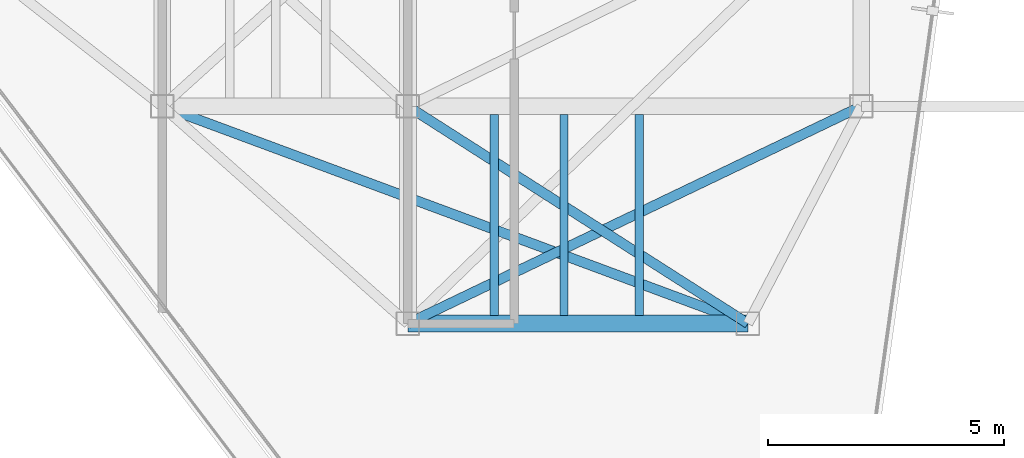
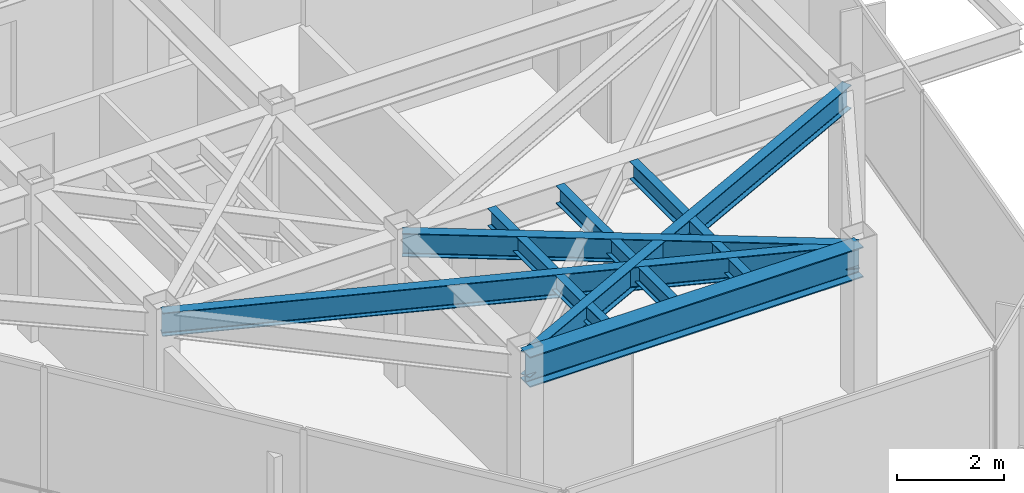
# One storey, part 10 of 20: 7 beams.
"""IFC4 building model written with IfcOpenShell, lengths in metres."""

from ifc_helpers import new_model, si_unit, direction, frame, origin, origin_2d, place, context, subcontext, project, spatial, i_section, extrude, material, material_profile, profile_set, type_object, element, save


model = new_model("IFC4")

# Units and contexts
model_context = context("Model", 3, precision=1e-05, world=origin(), true_north=direction((0.0, 1.0)))
body_context = subcontext(model_context, "Body", "Model", "MODEL_VIEW")
ifc_project = project(units=[si_unit("LENGTHUNIT", "METRE"), si_unit("AREAUNIT", "SQUARE_METRE"), si_unit("VOLUMEUNIT", "CUBIC_METRE"), si_unit("PLANEANGLEUNIT", "RADIAN"), si_unit("MASSUNIT", "GRAM", prefix="KILO")], contexts=[model_context])

# Site, building, storey
site_placement = place(None, origin())
site = spatial("IfcSite", under=ifc_project, at=site_placement, CompositionType="ELEMENT")
building_placement = place(site_placement, origin())
building = spatial("IfcBuilding", under=site, at=building_placement, Name="Kravanh Interchange Tower", CompositionType="ELEMENT")
storey_placement = place(building_placement, frame((0.0, 0.0, 245.39990234375)))
storey = spatial("IfcBuildingStorey", under=building, at=storey_placement, Name="L59", CompositionType="ELEMENT", Elevation=245.39990234375)

# Beams
ifc_material_1 = material(Name="Structural Steel S355", Category="steel")
ifc_material_profile_1 = material_profile(ifc_material_1, i_section(OverallWidth=0.35498046875, OverallDepth=0.696044921875, WebThickness=0.015380859375, FlangeThickness=0.02490234375, FilletRadius=0.02392578125, at=origin_2d()), Name="W27X146")
ifc_profile_set_1 = profile_set([ifc_material_profile_1], Name="Structural Steel S355")
beam_type_1 = type_object("IfcBeamType", Name="Floor Beam W27X146 Structural Steel S355", PredefinedType="BEAM", material=ifc_profile_set_1)
beam_1_placement = place(storey_placement, frame((56.0, 22.199951171875, 3.01220703125), z_axis=(1.0, 0.0, 0.0), x_axis=(0.0, 1.0, 0.0)))
element("IfcBeam", 1, at=beam_1_placement, inside=storey, type_object=beam_type_1, Name="L59 Primary Floor Girder 39", PredefinedType="BEAM", context=body_context, shape_type="SweptSolid", body=[
    extrude(i_section(OverallWidth=0.35498046875, OverallDepth=0.696044921875, WebThickness=0.015380859375, FlangeThickness=0.02490234375, FilletRadius=0.02392578125, at=origin_2d()), origin(), (0.0, 0.0, 1.0), 7.199951171875),
])
ifc_material_2 = material(Name="Structural Steel S355", Category="steel")
ifc_material_profile_2 = material_profile(ifc_material_2, i_section(OverallWidth=0.177978515625, OverallDepth=0.406005859375, WebThickness=0.0078125, FlangeThickness=0.0126953125, FilletRadius=0.01611328125, at=origin_2d()), Name="W16X40")
ifc_profile_set_2 = profile_set([ifc_material_profile_2], Name="Structural Steel S355")
beam_type_2 = type_object("IfcBeamType", Name="Floor Joist W16X40 Structural Steel S355", PredefinedType="JOIST", material=ifc_profile_set_2)
for number, where, z_axis, x_axis, name in (
    (2, (57.830078125, 22.37255859375, 3.156982421875), (0.0, 1.0, 0.0), (-1.0, 0.0, 0.0), "L59 Secondary Floor Joist 1"),
    (3, (59.304931640625, 22.37255859375, 3.156982421875), (0.0, 1.0, 0.0), (-1.0, 0.0, 0.0), "L59 Secondary Floor Joist 2"),
    (4, (60.89794921875, 22.37255859375, 3.156982421875), (0.0, 1.0, 0.0), (-1.0, 0.0, 0.0), "L59 Secondary Floor Joist 3"),
):
    element("IfcBeam", number, at=place(storey_placement, frame(where, z_axis=z_axis, x_axis=x_axis)), inside=storey, type_object=beam_type_2, Name=name, PredefinedType="JOIST", context=body_context, shape_type="SweptSolid", body=[
        extrude(i_section(OverallWidth=0.177978515625, OverallDepth=0.406005859375, WebThickness=0.0078125, FlangeThickness=0.0126953125, FilletRadius=0.01611328125, at=origin_2d()), origin(), (0.0, 0.0, 1.0), 4.2548828125),
    ])
ifc_material_3 = material(Name="Structural Steel S355", Category="steel")
ifc_material_profile_3 = material_profile(ifc_material_3, i_section(OverallWidth=0.2099609375, OverallDepth=0.537109375, WebThickness=0.010986328125, FlangeThickness=0.017333984375, FilletRadius=0.02001953125, at=origin_2d()), Name="W21X68")
ifc_profile_set_3 = profile_set([ifc_material_profile_3], Name="Structural Steel S355")
beam_type_3 = type_object("IfcBeamType", Name="Floor Spandrel W21X68 Structural Steel S355", PredefinedType="SPANDREL", material=ifc_profile_set_3)
beam_2_placement = place(storey_placement, frame((50.800048828125, 26.800048828125, 3.091552734375), z_axis=(0.937562917338, -0.347815721372, 0.0), x_axis=(0.347815721372, 0.937562917338, 0.0)))
element("IfcBeam", 5, at=beam_2_placement, inside=storey, type_object=beam_type_3, Name="L59 Perimeter Spandrel 33", PredefinedType="SPANDREL", context=body_context, shape_type="SweptSolid", body=[
    extrude(i_section(OverallWidth=0.2099609375, OverallDepth=0.537109375, WebThickness=0.010986328125, FlangeThickness=0.017333984375, FilletRadius=0.02001953125, at=origin_2d()), origin(), (0.0, 0.0, 1.0), 13.2255859375),
])
beam_3_placement = place(storey_placement, frame((56.0, 26.800048828125, 3.091552734375), z_axis=(0.842689417531, -0.53839998661, 0.0), x_axis=(0.53839998661, 0.842689417531, 0.0)))
element("IfcBeam", 6, at=beam_3_placement, inside=storey, type_object=beam_type_3, Name="L59 Perimeter Spandrel 35", PredefinedType="SPANDREL", context=body_context, shape_type="SweptSolid", body=[
    extrude(i_section(OverallWidth=0.2099609375, OverallDepth=0.537109375, WebThickness=0.010986328125, FlangeThickness=0.017333984375, FilletRadius=0.02001953125, at=origin_2d()), origin(), (0.0, 0.0, 1.0), 8.5439453125),
])
beam_4_placement = place(storey_placement, frame((65.60009765625, 26.800048828125, 3.091552734375), z_axis=(-0.901814166789, -0.432124066188, 0.0), x_axis=(0.432124066188, -0.901814166789, 0.0)))
element("IfcBeam", 7, at=beam_4_placement, inside=storey, type_object=beam_type_3, Name="L59 Perimeter Spandrel 38", PredefinedType="SPANDREL", context=body_context, shape_type="SweptSolid", body=[
    extrude(i_section(OverallWidth=0.2099609375, OverallDepth=0.537109375, WebThickness=0.010986328125, FlangeThickness=0.017333984375, FilletRadius=0.02001953125, at=origin_2d()), origin(), (0.0, 0.0, 1.0), 10.645263671875),
])

save(model, "model.ifc")
